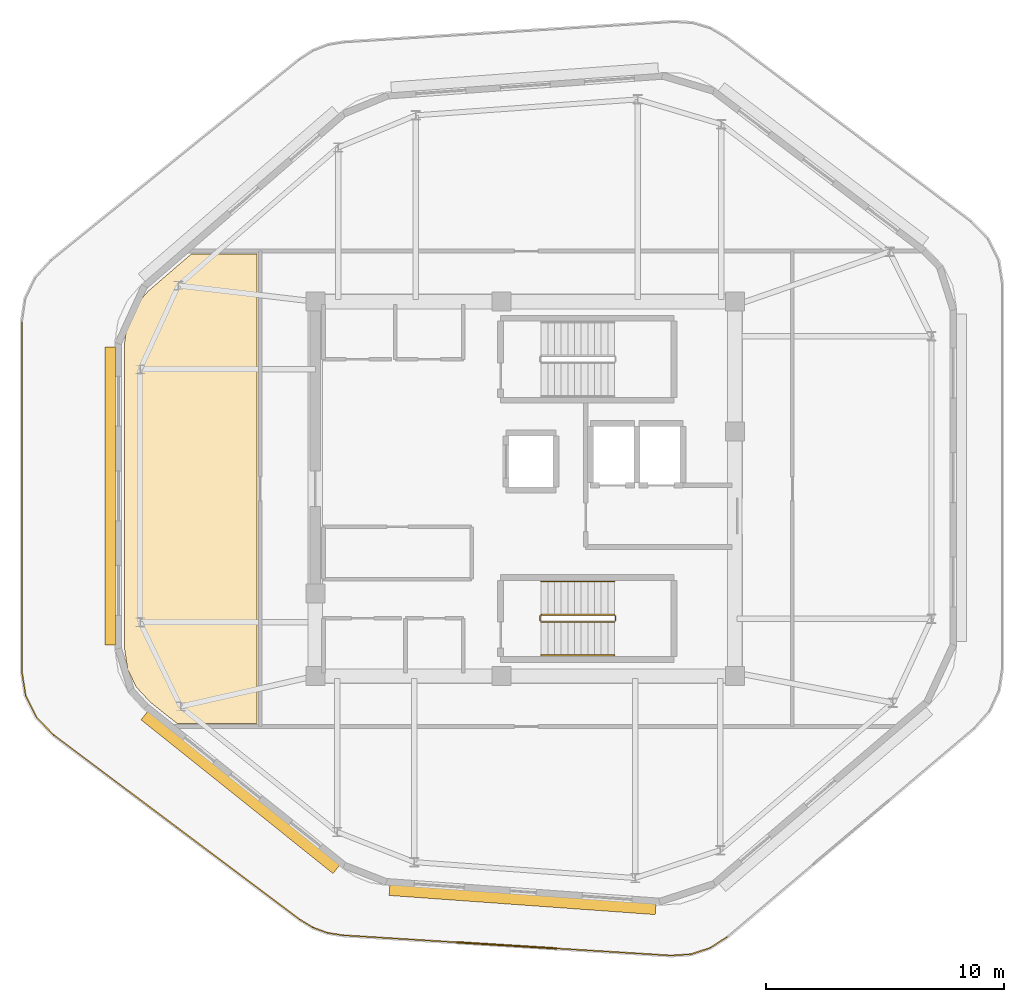
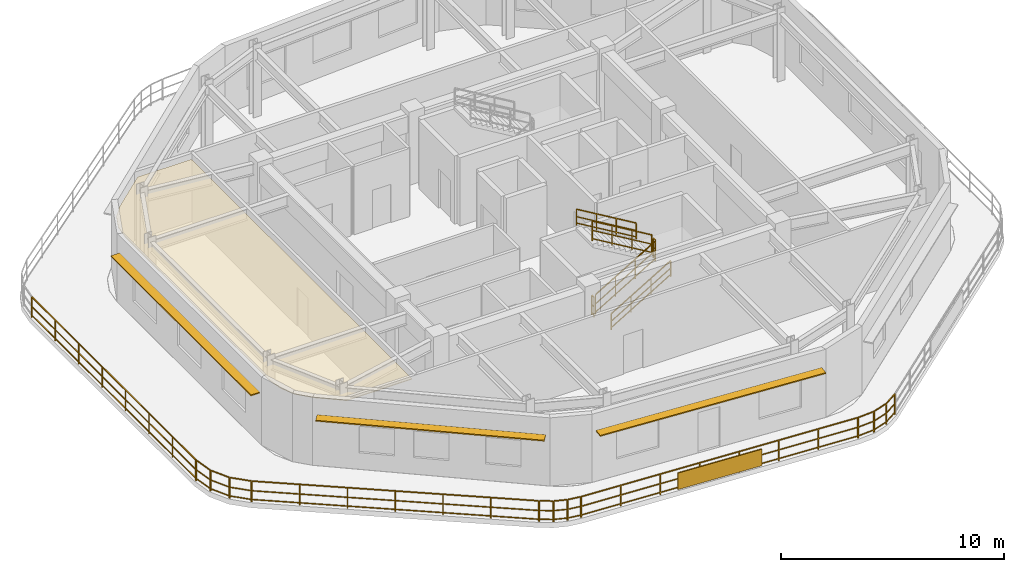
# One storey, part 5 of 7: 18 railings, 4 shading devices, 1 covering.
"""IFC4 building model written with IfcOpenShell, lengths in metres."""

from ifc_helpers import new_model, si_unit, direction, frame, origin, origin_2d, place, context, subcontext, project, spatial, polyline, rectangle, outline, extrude, material, layer, layer_set, type_object, element, save


model = new_model("IFC4")

# Units and contexts
model_context = context("Model", 3, precision=1e-05, world=origin(), true_north=direction((0.0, 1.0)))
body_context = subcontext(model_context, "Body", "Model", "MODEL_VIEW")
ifc_project = project(units=[si_unit("LENGTHUNIT", "METRE"), si_unit("AREAUNIT", "SQUARE_METRE"), si_unit("VOLUMEUNIT", "CUBIC_METRE"), si_unit("PLANEANGLEUNIT", "RADIAN"), si_unit("MASSUNIT", "GRAM", prefix="KILO")], contexts=[model_context])

# Site, building, storey
site_placement = place(None, origin())
site = spatial("IfcSite", under=ifc_project, at=site_placement, CompositionType="ELEMENT")
building_placement = place(site_placement, origin())
building = spatial("IfcBuilding", under=site, at=building_placement, Name="Zulverin Broadcast Headquarters", CompositionType="ELEMENT")
storey_placement = place(building_placement, frame((0.0, 0.0, 321.39990234375)))
storey = spatial("IfcBuildingStorey", under=building, at=storey_placement, Name="C3", CompositionType="ELEMENT", Elevation=321.39990234375)

# Covering
ifc_material_1 = material(Name="Perforated pale-metal acoustic baffle ceiling", Category="aluminium")
ifc_layer_1 = layer(ifc_material_1, 0.0400390625, Name="Perforated pale-metal acoustic baffle ceiling", Category="aluminium")
ifc_layer_set_1 = layer_set([ifc_layer_1], Name="Perforated pale-metal acoustic baffle ceiling")
covering_type = type_object("IfcCoveringType", Name="COV-CEIL-ACOU", PredefinedType="CEILING", material=ifc_layer_set_1)
covering_placement = place(storey_placement, frame((0.0, 0.0, 3.39013671875)))
element("IfcCovering", 1, at=covering_placement, inside=storey, type_object=covering_type, Name="C3 Acoustic Baffle Ceiling 01", PredefinedType="CEILING", context=body_context, shape_type="SweptSolid", body=[
    extrude(outline(polyline([(22.716064453125, 32.159912109375), (22.60009765625, 31.343994140625), (22.60009765625, 18.468017578125), (22.72802734375, 17.615966796875), (23.087890625, 16.864013671875), (23.672119140625, 16.23193359375), (24.81591796875, 15.320068359375), (28.179931640625, 15.320068359375), (28.179931640625, 35.080078125), (25.407958984375, 35.080078125), (23.587890625, 33.511962890625), (23.048095703125, 32.887939453125), (22.716064453125, 32.159912109375)])), origin(), (0.0, 0.0, 1.0), 0.0400390625),
])

# Railings
ifc_material_2 = material(Name="Brushed stainless steel & laminated glass balustrade", Category="steel")
railing_type_1 = type_object("IfcRailingType", Name="RL-GUARD-1150", PredefinedType="GUARDRAIL", material=ifc_material_2)
railing_1_placement = place(storey_placement, frame((29.962890625, 7.08544921875, 0.0)))
element("IfcRailing", 2, at=railing_1_placement, inside=storey, type_object=railing_type_1, Name="C3 Stepped Crown Terrace Perimeter Balustrade Segment 01", PredefinedType="GUARDRAIL", context=body_context, shape_type="SweptSolid", body=[
    extrude(rectangle(XDim=0.048095703125, YDim=0.048095703125, at=origin_2d()), frame((0.0, 0.0, 1.1259765625), z_axis=(-0.800253953175, 0.599661246395, 0.0), x_axis=(-0.599661246395, -0.800253953175, 0.0)), (0.0, 0.0, 1.0), 12.9169921875),
    extrude(rectangle(XDim=0.0419921875, YDim=0.0419921875, at=origin_2d()), frame((0.0, 0.0, 0.597900390625), z_axis=(-0.800253953175, 0.599661246395, 0.0), x_axis=(-0.599661246395, -0.800253953175, 0.0)), (0.0, 0.0, 1.0), 12.9169921875),
    extrude(rectangle(XDim=0.0419921875, YDim=0.0419921875, at=origin_2d()), frame((0.0, 0.0, 0.1201171875), z_axis=(-0.800253953175, 0.599661246395, 0.0), x_axis=(-0.599661246395, -0.800253953175, 0.0)), (0.0, 0.0, 1.0), 12.9169921875),
    extrude(rectangle(XDim=0.0419921875, YDim=0.0419921875, at=origin_2d()), origin(), (0.0, 0.0, 1.0), 1.101806640625),
    extrude(rectangle(XDim=0.0419921875, YDim=0.0419921875, at=origin_2d()), frame((-1.722900390625, 1.291015625, 0.0)), (0.0, 0.0, 1.0), 1.101806640625),
    extrude(rectangle(XDim=0.0419921875, YDim=0.0419921875, at=origin_2d()), frame((-3.445556640625, 2.58203125, 0.0)), (0.0, 0.0, 1.0), 1.101806640625),
    extrude(rectangle(XDim=0.0419921875, YDim=0.0419921875, at=origin_2d()), frame((-5.16845703125, 3.873046875, 0.0)), (0.0, 0.0, 1.0), 1.101806640625),
    extrude(rectangle(XDim=0.0419921875, YDim=0.0419921875, at=origin_2d()), frame((-6.891357421875, 5.163818359375, 0.0)), (0.0, 0.0, 1.0), 1.101806640625),
    extrude(rectangle(XDim=0.0419921875, YDim=0.0419921875, at=origin_2d()), frame((-8.614013671875, 6.454833984375, 0.0)), (0.0, 0.0, 1.0), 1.101806640625),
    extrude(rectangle(XDim=0.0419921875, YDim=0.0419921875, at=origin_2d()), frame((-10.3369140625, 7.745849609375, 0.0)), (0.0, 0.0, 1.0), 1.101806640625),
])
railing_2_placement = place(storey_placement, frame((19.603515625, 14.85107421875, 0.0)))
element("IfcRailing", 3, at=railing_2_placement, inside=storey, type_object=railing_type_1, Name="C3 Stepped Crown Terrace Perimeter Balustrade Segment 02", PredefinedType="GUARDRAIL", context=body_context, shape_type="SweptSolid", body=[
    extrude(rectangle(XDim=0.048095703125, YDim=0.048095703125, at=origin_2d()), frame((0.0, 0.0, 1.1259765625), z_axis=(-0.698250525123, 0.715853479538, 0.0), x_axis=(-0.715853479538, -0.698250525123, 0.0)), (0.0, 0.0, 1.0), 0.99853515625),
    extrude(rectangle(XDim=0.0419921875, YDim=0.0419921875, at=origin_2d()), frame((0.0, 0.0, 0.597900390625), z_axis=(-0.698250525123, 0.715853479538, 0.0), x_axis=(-0.715853479538, -0.698250525123, 0.0)), (0.0, 0.0, 1.0), 0.99853515625),
    extrude(rectangle(XDim=0.0419921875, YDim=0.0419921875, at=origin_2d()), frame((0.0, 0.0, 0.1201171875), z_axis=(-0.698250525123, 0.715853479538, 0.0), x_axis=(-0.715853479538, -0.698250525123, 0.0)), (0.0, 0.0, 1.0), 0.99853515625),
    extrude(rectangle(XDim=0.0419921875, YDim=0.0419921875, at=origin_2d()), origin(), (0.0, 0.0, 1.0), 1.101806640625),
    extrude(rectangle(XDim=0.0419921875, YDim=0.0419921875, at=origin_2d()), frame((-0.697265625, 0.71484375, 0.0)), (0.0, 0.0, 1.0), 1.101806640625),
])
railing_3_placement = place(storey_placement, frame((18.88916015625, 15.58984375, 0.0)))
element("IfcRailing", 4, at=railing_3_placement, inside=storey, type_object=railing_type_1, Name="C3 Stepped Crown Terrace Perimeter Balustrade Segment 03", PredefinedType="GUARDRAIL", context=body_context, shape_type="SweptSolid", body=[
    extrude(rectangle(XDim=0.048095703125, YDim=0.048095703125, at=origin_2d()), frame((0.0, 0.0, 1.1259765625), z_axis=(-0.447508794093, 0.894279530801, 0.0), x_axis=(-0.894279530801, -0.447508794093, 0.0)), (0.0, 0.0, 1.0), 0.992431640625),
    extrude(rectangle(XDim=0.0419921875, YDim=0.0419921875, at=origin_2d()), frame((0.0, 0.0, 0.597900390625), z_axis=(-0.447508794093, 0.894279530801, 0.0), x_axis=(-0.894279530801, -0.447508794093, 0.0)), (0.0, 0.0, 1.0), 0.992431640625),
    extrude(rectangle(XDim=0.0419921875, YDim=0.0419921875, at=origin_2d()), frame((0.0, 0.0, 0.1201171875), z_axis=(-0.447508794093, 0.894279530801, 0.0), x_axis=(-0.894279530801, -0.447508794093, 0.0)), (0.0, 0.0, 1.0), 0.992431640625),
    extrude(rectangle(XDim=0.0419921875, YDim=0.0419921875, at=origin_2d()), origin(), (0.0, 0.0, 1.0), 1.101806640625),
    extrude(rectangle(XDim=0.0419921875, YDim=0.0419921875, at=origin_2d()), frame((-0.444091796875, 0.887451171875, 0.0)), (0.0, 0.0, 1.0), 1.101806640625),
])
railing_4_placement = place(storey_placement, frame((18.43603515625, 16.505615234375, 0.0)))
element("IfcRailing", 5, at=railing_4_placement, inside=storey, type_object=railing_type_1, Name="C3 Stepped Crown Terrace Perimeter Balustrade Segment 04", PredefinedType="GUARDRAIL", context=body_context, shape_type="SweptSolid", body=[
    extrude(rectangle(XDim=0.048095703125, YDim=0.048095703125, at=origin_2d()), frame((0.0, 0.0, 1.1259765625), z_axis=(-0.154041223867, 0.98806442166, 0.0), x_axis=(-0.98806442166, -0.154041223867, 0.0)), (0.0, 0.0, 1.0), 0.99853515625),
    extrude(rectangle(XDim=0.0419921875, YDim=0.0419921875, at=origin_2d()), frame((0.0, 0.0, 0.597900390625), z_axis=(-0.154041223867, 0.98806442166, 0.0), x_axis=(-0.98806442166, -0.154041223867, 0.0)), (0.0, 0.0, 1.0), 0.99853515625),
    extrude(rectangle(XDim=0.0419921875, YDim=0.0419921875, at=origin_2d()), frame((0.0, 0.0, 0.1201171875), z_axis=(-0.154041223867, 0.98806442166, 0.0), x_axis=(-0.98806442166, -0.154041223867, 0.0)), (0.0, 0.0, 1.0), 0.99853515625),
    extrude(rectangle(XDim=0.0419921875, YDim=0.0419921875, at=origin_2d()), origin(), (0.0, 0.0, 1.0), 1.101806640625),
    extrude(rectangle(XDim=0.0419921875, YDim=0.0419921875, at=origin_2d()), frame((-0.15380859375, 0.986572265625, 0.0)), (0.0, 0.0, 1.0), 1.101806640625),
])
railing_5_placement = place(storey_placement, frame((18.280029296875, 17.522216796875, 0.0)))
element("IfcRailing", 6, at=railing_5_placement, inside=storey, type_object=railing_type_1, Name="C3 Stepped Crown Terrace Perimeter Balustrade Segment 05", PredefinedType="GUARDRAIL", context=body_context, shape_type="SweptSolid", body=[
    extrude(rectangle(XDim=0.048095703125, YDim=0.048095703125, at=origin_2d()), frame((0.0, 0.0, 1.1259765625), z_axis=(0.0, 1.0, 0.0), x_axis=(-1.0, 0.0, 0.0)), (0.0, 0.0, 1.0), 14.6826171875),
    extrude(rectangle(XDim=0.0419921875, YDim=0.0419921875, at=origin_2d()), frame((0.0, 0.0, 0.597900390625), z_axis=(0.0, 1.0, 0.0), x_axis=(-1.0, 0.0, 0.0)), (0.0, 0.0, 1.0), 14.6826171875),
    extrude(rectangle(XDim=0.0419921875, YDim=0.0419921875, at=origin_2d()), frame((0.0, 0.0, 0.1201171875), z_axis=(0.0, 1.0, 0.0), x_axis=(-1.0, 0.0, 0.0)), (0.0, 0.0, 1.0), 14.6826171875),
    extrude(rectangle(XDim=0.0419921875, YDim=0.0419921875, at=origin_2d()), origin(), (0.0, 0.0, 1.0), 1.101806640625),
    extrude(rectangle(XDim=0.0419921875, YDim=0.0419921875, at=origin_2d()), frame((0.0, 2.097412109375, 0.0)), (0.0, 0.0, 1.0), 1.101806640625),
    extrude(rectangle(XDim=0.0419921875, YDim=0.0419921875, at=origin_2d()), frame((0.0, 4.195068359375, 0.0)), (0.0, 0.0, 1.0), 1.101806640625),
    extrude(rectangle(XDim=0.0419921875, YDim=0.0419921875, at=origin_2d()), frame((0.0, 6.29248046875, 0.0)), (0.0, 0.0, 1.0), 1.101806640625),
    extrude(rectangle(XDim=0.0419921875, YDim=0.0419921875, at=origin_2d()), frame((0.0, 8.39013671875, 0.0)), (0.0, 0.0, 1.0), 1.101806640625),
    extrude(rectangle(XDim=0.0419921875, YDim=0.0419921875, at=origin_2d()), frame((0.0, 10.487548828125, 0.0)), (0.0, 0.0, 1.0), 1.101806640625),
    extrude(rectangle(XDim=0.0419921875, YDim=0.0419921875, at=origin_2d()), frame((0.0, 12.585205078125, 0.0)), (0.0, 0.0, 1.0), 1.101806640625),
    extrude(rectangle(XDim=0.0419921875, YDim=0.0419921875, at=origin_2d()), frame((0.0, 14.6826171875, 0.0)), (0.0, 0.0, 1.0), 1.101806640625),
])
railing_6_placement = place(storey_placement, frame((47.93798828125, 6.337646484375, 0.0)))
element("IfcRailing", 7, at=railing_6_placement, inside=storey, type_object=railing_type_1, Name="C3 Stepped Crown Terrace Perimeter Balustrade Segment 26", PredefinedType="GUARDRAIL", context=body_context, shape_type="SweptSolid", body=[
    extrude(rectangle(XDim=0.048095703125, YDim=0.048095703125, at=origin_2d()), frame((0.0, 0.0, 1.1259765625), z_axis=(-0.839417901356, -0.543486510305, 0.0), x_axis=(0.543486510305, -0.839417901356, 0.0)), (0.0, 0.0, 1.0), 0.817626953125),
    extrude(rectangle(XDim=0.0419921875, YDim=0.0419921875, at=origin_2d()), frame((0.0, 0.0, 0.597900390625), z_axis=(-0.839417901356, -0.543486510305, 0.0), x_axis=(0.543486510305, -0.839417901356, 0.0)), (0.0, 0.0, 1.0), 0.817626953125),
    extrude(rectangle(XDim=0.0419921875, YDim=0.0419921875, at=origin_2d()), frame((0.0, 0.0, 0.1201171875), z_axis=(-0.839417901356, -0.543486510305, 0.0), x_axis=(0.543486510305, -0.839417901356, 0.0)), (0.0, 0.0, 1.0), 0.817626953125),
    extrude(rectangle(XDim=0.0419921875, YDim=0.0419921875, at=origin_2d()), origin(), (0.0, 0.0, 1.0), 1.101806640625),
    extrude(rectangle(XDim=0.0419921875, YDim=0.0419921875, at=origin_2d()), frame((-0.686279296875, -0.4443359375, 0.0)), (0.0, 0.0, 1.0), 1.101806640625),
])
railing_7_placement = place(storey_placement, frame((47.224853515625, 5.88037109375, 0.0)))
element("IfcRailing", 8, at=railing_7_placement, inside=storey, type_object=railing_type_1, Name="C3 Stepped Crown Terrace Perimeter Balustrade Segment 27", PredefinedType="GUARDRAIL", context=body_context, shape_type="SweptSolid", body=[
    extrude(rectangle(XDim=0.048095703125, YDim=0.048095703125, at=origin_2d()), frame((0.0, 0.0, 1.1259765625), z_axis=(-0.949162791239, -0.314785634563, 0.0), x_axis=(0.314785634563, -0.949162791239, 0.0)), (0.0, 0.0, 1.0), 0.812744140625),
    extrude(rectangle(XDim=0.0419921875, YDim=0.0419921875, at=origin_2d()), frame((0.0, 0.0, 0.597900390625), z_axis=(-0.949162791239, -0.314785634563, 0.0), x_axis=(0.314785634563, -0.949162791239, 0.0)), (0.0, 0.0, 1.0), 0.812744140625),
    extrude(rectangle(XDim=0.0419921875, YDim=0.0419921875, at=origin_2d()), frame((0.0, 0.0, 0.1201171875), z_axis=(-0.949162791239, -0.314785634563, 0.0), x_axis=(0.314785634563, -0.949162791239, 0.0)), (0.0, 0.0, 1.0), 0.812744140625),
    extrude(rectangle(XDim=0.0419921875, YDim=0.0419921875, at=origin_2d()), origin(), (0.0, 0.0, 1.0), 1.101806640625),
    extrude(rectangle(XDim=0.0419921875, YDim=0.0419921875, at=origin_2d()), frame((-0.771484375, -0.255859375, 0.0)), (0.0, 0.0, 1.0), 1.101806640625),
])
railing_8_placement = place(storey_placement, frame((46.42431640625, 5.618896484375, 0.0)))
element("IfcRailing", 9, at=railing_8_placement, inside=storey, type_object=railing_type_1, Name="C3 Stepped Crown Terrace Perimeter Balustrade Segment 28", PredefinedType="GUARDRAIL", context=body_context, shape_type="SweptSolid", body=[
    extrude(rectangle(XDim=0.048095703125, YDim=0.048095703125, at=origin_2d()), frame((0.0, 0.0, 1.1259765625), z_axis=(-0.997840298252, -0.065686674331, 0.0), x_axis=(0.065686674331, -0.997840298252, 0.0)), (0.0, 0.0, 1.0), 0.817626953125),
    extrude(rectangle(XDim=0.0419921875, YDim=0.0419921875, at=origin_2d()), frame((0.0, 0.0, 0.597900390625), z_axis=(-0.997840298252, -0.065686674331, 0.0), x_axis=(0.065686674331, -0.997840298252, 0.0)), (0.0, 0.0, 1.0), 0.817626953125),
    extrude(rectangle(XDim=0.0419921875, YDim=0.0419921875, at=origin_2d()), frame((0.0, 0.0, 0.1201171875), z_axis=(-0.997840298252, -0.065686674331, 0.0), x_axis=(0.065686674331, -0.997840298252, 0.0)), (0.0, 0.0, 1.0), 0.817626953125),
    extrude(rectangle(XDim=0.0419921875, YDim=0.0419921875, at=origin_2d()), origin(), (0.0, 0.0, 1.0), 1.101806640625),
    extrude(rectangle(XDim=0.0419921875, YDim=0.0419921875, at=origin_2d()), frame((-0.81591796875, -0.0537109375, 0.0)), (0.0, 0.0, 1.0), 1.101806640625),
])
railing_9_placement = place(storey_placement, frame((45.578369140625, 5.565185546875, 0.0)))
element("IfcRailing", 10, at=railing_9_placement, inside=storey, type_object=railing_type_1, Name="C3 Stepped Crown Terrace Perimeter Balustrade Segment 29", PredefinedType="GUARDRAIL", context=body_context, shape_type="SweptSolid", body=[
    extrude(rectangle(XDim=0.048095703125, YDim=0.048095703125, at=origin_2d()), frame((0.0, 0.0, 1.1259765625), z_axis=(-0.998103447155, 0.061558986166, 0.0), x_axis=(-0.061558986166, -0.998103447155, 0.0)), (0.0, 0.0, 1.0), 13.8212890625),
    extrude(rectangle(XDim=0.0419921875, YDim=0.0419921875, at=origin_2d()), frame((0.0, 0.0, 0.597900390625), z_axis=(-0.998103447155, 0.061558986166, 0.0), x_axis=(-0.061558986166, -0.998103447155, 0.0)), (0.0, 0.0, 1.0), 13.8212890625),
    extrude(rectangle(XDim=0.0419921875, YDim=0.0419921875, at=origin_2d()), frame((0.0, 0.0, 0.1201171875), z_axis=(-0.998103447155, 0.061558986166, 0.0), x_axis=(-0.061558986166, -0.998103447155, 0.0)), (0.0, 0.0, 1.0), 13.8212890625),
    extrude(rectangle(XDim=0.0419921875, YDim=0.0419921875, at=origin_2d()), origin(), (0.0, 0.0, 1.0), 1.101806640625),
    extrude(rectangle(XDim=0.0419921875, YDim=0.0419921875, at=origin_2d()), frame((-1.970703125, 0.12158203125, 0.0)), (0.0, 0.0, 1.0), 1.101806640625),
    extrude(rectangle(XDim=0.0419921875, YDim=0.0419921875, at=origin_2d()), frame((-3.94140625, 0.2431640625, 0.0)), (0.0, 0.0, 1.0), 1.101806640625),
    extrude(rectangle(XDim=0.0419921875, YDim=0.0419921875, at=origin_2d()), frame((-5.912109375, 0.36474609375, 0.0)), (0.0, 0.0, 1.0), 1.101806640625),
    extrude(rectangle(XDim=0.0419921875, YDim=0.0419921875, at=origin_2d()), frame((-7.883056640625, 0.486083984375, 0.0)), (0.0, 0.0, 1.0), 1.101806640625),
    extrude(rectangle(XDim=0.0419921875, YDim=0.0419921875, at=origin_2d()), frame((-9.853759765625, 0.607666015625, 0.0)), (0.0, 0.0, 1.0), 1.101806640625),
    extrude(rectangle(XDim=0.0419921875, YDim=0.0419921875, at=origin_2d()), frame((-11.824462890625, 0.729248046875, 0.0)), (0.0, 0.0, 1.0), 1.101806640625),
    extrude(rectangle(XDim=0.0419921875, YDim=0.0419921875, at=origin_2d()), frame((-13.795166015625, 0.850830078125, 0.0)), (0.0, 0.0, 1.0), 1.101806640625),
])
railing_10_placement = place(storey_placement, frame((31.75341796875, 6.41943359375, 0.0)))
element("IfcRailing", 11, at=railing_10_placement, inside=storey, type_object=railing_type_1, Name="C3 Stepped Crown Terrace Perimeter Balustrade Segment 30", PredefinedType="GUARDRAIL", context=body_context, shape_type="SweptSolid", body=[
    extrude(rectangle(XDim=0.048095703125, YDim=0.048095703125, at=origin_2d()), frame((0.0, 0.0, 1.1259765625), z_axis=(-0.98749495318, 0.157650618277, 0.0), x_axis=(-0.157650618277, -0.98749495318, 0.0)), (0.0, 0.0, 1.0), 0.616455078125),
    extrude(rectangle(XDim=0.0419921875, YDim=0.0419921875, at=origin_2d()), frame((0.0, 0.0, 0.597900390625), z_axis=(-0.98749495318, 0.157650618277, 0.0), x_axis=(-0.157650618277, -0.98749495318, 0.0)), (0.0, 0.0, 1.0), 0.616455078125),
    extrude(rectangle(XDim=0.0419921875, YDim=0.0419921875, at=origin_2d()), frame((0.0, 0.0, 0.1201171875), z_axis=(-0.98749495318, 0.157650618277, 0.0), x_axis=(-0.157650618277, -0.98749495318, 0.0)), (0.0, 0.0, 1.0), 0.616455078125),
    extrude(rectangle(XDim=0.0419921875, YDim=0.0419921875, at=origin_2d()), origin(), (0.0, 0.0, 1.0), 1.101806640625),
    extrude(rectangle(XDim=0.0419921875, YDim=0.0419921875, at=origin_2d()), frame((-0.608642578125, 0.09716796875, 0.0)), (0.0, 0.0, 1.0), 1.101806640625),
])
railing_11_placement = place(storey_placement, frame((31.115966796875, 6.524169921875, 0.0)))
element("IfcRailing", 12, at=railing_11_placement, inside=storey, type_object=railing_type_1, Name="C3 Stepped Crown Terrace Perimeter Balustrade Segment 31", PredefinedType="GUARDRAIL", context=body_context, shape_type="SweptSolid", body=[
    extrude(rectangle(XDim=0.048095703125, YDim=0.048095703125, at=origin_2d()), frame((0.0, 0.0, 1.1259765625), z_axis=(-0.938553874978, 0.345132762518, 0.0), x_axis=(-0.345132762518, -0.938553874978, 0.0)), (0.0, 0.0, 1.0), 0.612548828125),
    extrude(rectangle(XDim=0.0419921875, YDim=0.0419921875, at=origin_2d()), frame((0.0, 0.0, 0.597900390625), z_axis=(-0.938553874978, 0.345132762518, 0.0), x_axis=(-0.345132762518, -0.938553874978, 0.0)), (0.0, 0.0, 1.0), 0.612548828125),
    extrude(rectangle(XDim=0.0419921875, YDim=0.0419921875, at=origin_2d()), frame((0.0, 0.0, 0.1201171875), z_axis=(-0.938553874978, 0.345132762518, 0.0), x_axis=(-0.345132762518, -0.938553874978, 0.0)), (0.0, 0.0, 1.0), 0.612548828125),
    extrude(rectangle(XDim=0.0419921875, YDim=0.0419921875, at=origin_2d()), origin(), (0.0, 0.0, 1.0), 1.101806640625),
    extrude(rectangle(XDim=0.0419921875, YDim=0.0419921875, at=origin_2d()), frame((-0.574951171875, 0.21142578125, 0.0)), (0.0, 0.0, 1.0), 1.101806640625),
])
railing_12_placement = place(storey_placement, frame((30.51416015625, 6.74853515625, 0.0)))
element("IfcRailing", 13, at=railing_12_placement, inside=storey, type_object=railing_type_1, Name="C3 Stepped Crown Terrace Perimeter Balustrade Segment 32", PredefinedType="GUARDRAIL", context=body_context, shape_type="SweptSolid", body=[
    extrude(rectangle(XDim=0.048095703125, YDim=0.048095703125, at=origin_2d()), frame((0.0, 0.0, 1.1259765625), z_axis=(-0.854542628037, 0.519381263494, 0.0), x_axis=(-0.519381263494, -0.854542628037, 0.0)), (0.0, 0.0, 1.0), 0.6162109375),
    extrude(rectangle(XDim=0.0419921875, YDim=0.0419921875, at=origin_2d()), frame((0.0, 0.0, 0.597900390625), z_axis=(-0.854542628037, 0.519381263494, 0.0), x_axis=(-0.519381263494, -0.854542628037, 0.0)), (0.0, 0.0, 1.0), 0.6162109375),
    extrude(rectangle(XDim=0.0419921875, YDim=0.0419921875, at=origin_2d()), frame((0.0, 0.0, 0.1201171875), z_axis=(-0.854542628037, 0.519381263494, 0.0), x_axis=(-0.519381263494, -0.854542628037, 0.0)), (0.0, 0.0, 1.0), 0.6162109375),
    extrude(rectangle(XDim=0.0419921875, YDim=0.0419921875, at=origin_2d()), origin(), (0.0, 0.0, 1.0), 1.101806640625),
    extrude(rectangle(XDim=0.0419921875, YDim=0.0419921875, at=origin_2d()), frame((-0.526611328125, 0.320068359375, 0.0)), (0.0, 0.0, 1.0), 1.101806640625),
])
ifc_material_3 = material(Name="Painted galvanized steel tubular guardrail S355JR", Category="steel")
railing_type_2 = type_object("IfcRailingType", Name="RL-ST-GUARD", PredefinedType="GUARDRAIL", material=ifc_material_3)
railing_13_placement = place(storey_placement, frame((40.1298828125, 19.60009765625, 0.166748046875)))
element("IfcRailing", 14, at=railing_13_placement, inside=storey, type_object=railing_type_2, Name="C3 ST-2 stair guard 1", PredefinedType="GUARDRAIL", context=body_context, shape_type="SweptSolid", body=[
    extrude(rectangle(XDim=0.048095703125, YDim=0.048095703125, at=origin_2d()), frame((0.0, 0.0, 1.076171875), z_axis=(0.859308565015, 0.0, 0.511457515432), x_axis=(0.0, 1.0, 0.0)), (0.0, 0.0, 1.0), 3.58447265625),
    extrude(rectangle(XDim=0.0419921875, YDim=0.0419921875, at=origin_2d()), frame((0.0, 0.0, 0.572021484375), z_axis=(0.859308565015, 0.0, 0.511457515432), x_axis=(0.0, 1.0, 0.0)), (0.0, 0.0, 1.0), 3.58447265625),
    extrude(rectangle(XDim=0.0419921875, YDim=0.0419921875, at=origin_2d()), frame((0.0, 0.0, 0.1201171875), z_axis=(0.859308565015, 0.0, 0.511457515432), x_axis=(0.0, 1.0, 0.0)), (0.0, 0.0, 1.0), 3.58447265625),
    extrude(rectangle(XDim=0.0419921875, YDim=0.0419921875, at=origin_2d()), origin(), (0.0, 0.0, 1.0), 1.052001953125),
    extrude(rectangle(XDim=0.0419921875, YDim=0.0419921875, at=origin_2d()), frame((1.026611328125, 0.0, 0.611083984375)), (0.0, 0.0, 1.0), 1.052001953125),
    extrude(rectangle(XDim=0.0419921875, YDim=0.0419921875, at=origin_2d()), frame((2.053466796875, 0.0, 1.22216796875)), (0.0, 0.0, 1.0), 1.052001953125),
    extrude(rectangle(XDim=0.0419921875, YDim=0.0419921875, at=origin_2d()), frame((3.080078125, 0.0, 1.833251953125)), (0.0, 0.0, 1.0), 1.052001953125),
])
railing_14_placement = place(storey_placement, frame((43.260009765625, 19.64990234375, 2.0)))
element("IfcRailing", 15, at=railing_14_placement, inside=storey, type_object=railing_type_2, Name="C3 ST-2 stair guard 2", PredefinedType="GUARDRAIL", context=body_context, shape_type="SweptSolid", body=[
    extrude(rectangle(XDim=0.048095703125, YDim=0.048095703125, at=origin_2d()), frame((0.0, 0.0, 1.076171875), z_axis=(0.0, 1.0, 0.0), x_axis=(-1.0, 0.0, 0.0)), (0.0, 0.0, 1.0), 0.2001953125),
    extrude(rectangle(XDim=0.0419921875, YDim=0.0419921875, at=origin_2d()), frame((0.0, 0.0, 0.572021484375), z_axis=(0.0, 1.0, 0.0), x_axis=(-1.0, 0.0, 0.0)), (0.0, 0.0, 1.0), 0.2001953125),
    extrude(rectangle(XDim=0.0419921875, YDim=0.0419921875, at=origin_2d()), frame((0.0, 0.0, 0.1201171875), z_axis=(0.0, 1.0, 0.0), x_axis=(-1.0, 0.0, 0.0)), (0.0, 0.0, 1.0), 0.2001953125),
    extrude(rectangle(XDim=0.0419921875, YDim=0.0419921875, at=origin_2d()), origin(), (0.0, 0.0, 1.0), 1.052001953125),
    extrude(rectangle(XDim=0.0419921875, YDim=0.0419921875, at=origin_2d()), frame((0.0, 0.2001953125, 0.0)), (0.0, 0.0, 1.0), 1.052001953125),
])
railing_15_placement = place(storey_placement, frame((43.2099609375, 19.89990234375, 2.166748046875)))
element("IfcRailing", 16, at=railing_15_placement, inside=storey, type_object=railing_type_2, Name="C3 ST-2 stair guard 3", PredefinedType="GUARDRAIL", context=body_context, shape_type="SweptSolid", body=[
    extrude(rectangle(XDim=0.048095703125, YDim=0.048095703125, at=origin_2d()), frame((0.0, 0.0, 1.076171875), z_axis=(-0.859308565015, 0.0, 0.511457515432), x_axis=(0.0, -1.0, 0.0)), (0.0, 0.0, 1.0), 3.58447265625),
    extrude(rectangle(XDim=0.0419921875, YDim=0.0419921875, at=origin_2d()), frame((0.0, 0.0, 0.572021484375), z_axis=(-0.859308565015, 0.0, 0.511457515432), x_axis=(0.0, -1.0, 0.0)), (0.0, 0.0, 1.0), 3.58447265625),
    extrude(rectangle(XDim=0.0419921875, YDim=0.0419921875, at=origin_2d()), frame((0.0, 0.0, 0.1201171875), z_axis=(-0.859308565015, 0.0, 0.511457515432), x_axis=(0.0, -1.0, 0.0)), (0.0, 0.0, 1.0), 3.58447265625),
    extrude(rectangle(XDim=0.0419921875, YDim=0.0419921875, at=origin_2d()), origin(), (0.0, 0.0, 1.0), 1.052001953125),
    extrude(rectangle(XDim=0.0419921875, YDim=0.0419921875, at=origin_2d()), frame((-1.026611328125, 0.0, 0.611083984375)), (0.0, 0.0, 1.0), 1.052001953125),
    extrude(rectangle(XDim=0.0419921875, YDim=0.0419921875, at=origin_2d()), frame((-2.053466796875, 0.0, 1.22216796875)), (0.0, 0.0, 1.0), 1.052001953125),
    extrude(rectangle(XDim=0.0419921875, YDim=0.0419921875, at=origin_2d()), frame((-3.080078125, 0.0, 1.833251953125)), (0.0, 0.0, 1.0), 1.052001953125),
])
railing_16_placement = place(storey_placement, frame((40.080078125, 19.64990234375, 0.0)))
element("IfcRailing", 17, at=railing_16_placement, inside=storey, type_object=railing_type_2, Name="C3 ST-2 stair guard 4", PredefinedType="GUARDRAIL", context=body_context, shape_type="SweptSolid", body=[
    extrude(rectangle(XDim=0.048095703125, YDim=0.048095703125, at=origin_2d()), frame((0.0, 0.0, 1.076171875), z_axis=(0.0, 1.0, 0.0), x_axis=(-1.0, 0.0, 0.0)), (0.0, 0.0, 1.0), 0.2001953125),
    extrude(rectangle(XDim=0.0419921875, YDim=0.0419921875, at=origin_2d()), frame((0.0, 0.0, 0.572021484375), z_axis=(0.0, 1.0, 0.0), x_axis=(-1.0, 0.0, 0.0)), (0.0, 0.0, 1.0), 0.2001953125),
    extrude(rectangle(XDim=0.0419921875, YDim=0.0419921875, at=origin_2d()), frame((0.0, 0.0, 0.1201171875), z_axis=(0.0, 1.0, 0.0), x_axis=(-1.0, 0.0, 0.0)), (0.0, 0.0, 1.0), 0.2001953125),
    extrude(rectangle(XDim=0.0419921875, YDim=0.0419921875, at=origin_2d()), origin(), (0.0, 0.0, 1.0), 1.052001953125),
    extrude(rectangle(XDim=0.0419921875, YDim=0.0419921875, at=origin_2d()), frame((0.0, 0.2001953125, 0.0)), (0.0, 0.0, 1.0), 1.052001953125),
])
ifc_material_4 = material(Name="Brushed stainless steel 48 mm handrail", Category="steel")
railing_type_3 = type_object("IfcRailingType", Name="RL-ST-HAND", PredefinedType="HANDRAIL", material=ifc_material_4)
railing_17_placement = place(storey_placement, frame((40.1298828125, 18.199951171875, 0.166748046875)))
element("IfcRailing", 18, at=railing_17_placement, inside=storey, type_object=railing_type_3, Name="C3 ST-2 stair handrail 1", PredefinedType="HANDRAIL", context=body_context, shape_type="SweptSolid", body=[
    extrude(rectangle(XDim=0.048095703125, YDim=0.048095703125, at=origin_2d()), frame((0.0, 0.0, 0.8759765625), z_axis=(0.859308565015, 0.0, 0.511457515432), x_axis=(0.0, 1.0, 0.0)), (0.0, 0.0, 1.0), 3.58447265625),
    extrude(rectangle(XDim=0.0419921875, YDim=0.0419921875, at=origin_2d()), frame((0.0, 0.0, 0.468017578125), z_axis=(0.859308565015, 0.0, 0.511457515432), x_axis=(0.0, 1.0, 0.0)), (0.0, 0.0, 1.0), 3.58447265625),
    extrude(rectangle(XDim=0.0419921875, YDim=0.0419921875, at=origin_2d()), frame((0.0, 0.0, 0.1201171875), z_axis=(0.859308565015, 0.0, 0.511457515432), x_axis=(0.0, 1.0, 0.0)), (0.0, 0.0, 1.0), 3.58447265625),
    extrude(rectangle(XDim=0.0419921875, YDim=0.0419921875, at=origin_2d()), origin(), (0.0, 0.0, 1.0), 0.851806640625),
    extrude(rectangle(XDim=0.0419921875, YDim=0.0419921875, at=origin_2d()), frame((1.026611328125, 0.0, 0.611083984375)), (0.0, 0.0, 1.0), 0.851806640625),
    extrude(rectangle(XDim=0.0419921875, YDim=0.0419921875, at=origin_2d()), frame((2.053466796875, 0.0, 1.22216796875)), (0.0, 0.0, 1.0), 0.851806640625),
    extrude(rectangle(XDim=0.0419921875, YDim=0.0419921875, at=origin_2d()), frame((3.080078125, 0.0, 1.833251953125)), (0.0, 0.0, 1.0), 0.851806640625),
])
railing_18_placement = place(storey_placement, frame((43.2099609375, 21.300048828125, 2.166748046875)))
element("IfcRailing", 19, at=railing_18_placement, inside=storey, type_object=railing_type_3, Name="C3 ST-2 stair handrail 2", PredefinedType="HANDRAIL", context=body_context, shape_type="SweptSolid", body=[
    extrude(rectangle(XDim=0.048095703125, YDim=0.048095703125, at=origin_2d()), frame((0.0, 0.0, 0.8759765625), z_axis=(-0.859308565015, 0.0, 0.511457515432), x_axis=(0.0, -1.0, 0.0)), (0.0, 0.0, 1.0), 3.58447265625),
    extrude(rectangle(XDim=0.0419921875, YDim=0.0419921875, at=origin_2d()), frame((0.0, 0.0, 0.468017578125), z_axis=(-0.859308565015, 0.0, 0.511457515432), x_axis=(0.0, -1.0, 0.0)), (0.0, 0.0, 1.0), 3.58447265625),
    extrude(rectangle(XDim=0.0419921875, YDim=0.0419921875, at=origin_2d()), frame((0.0, 0.0, 0.1201171875), z_axis=(-0.859308565015, 0.0, 0.511457515432), x_axis=(0.0, -1.0, 0.0)), (0.0, 0.0, 1.0), 3.58447265625),
    extrude(rectangle(XDim=0.0419921875, YDim=0.0419921875, at=origin_2d()), origin(), (0.0, 0.0, 1.0), 0.851806640625),
    extrude(rectangle(XDim=0.0419921875, YDim=0.0419921875, at=origin_2d()), frame((-1.026611328125, 0.0, 0.611083984375)), (0.0, 0.0, 1.0), 0.851806640625),
    extrude(rectangle(XDim=0.0419921875, YDim=0.0419921875, at=origin_2d()), frame((-2.053466796875, 0.0, 1.22216796875)), (0.0, 0.0, 1.0), 0.851806640625),
    extrude(rectangle(XDim=0.0419921875, YDim=0.0419921875, at=origin_2d()), frame((-3.080078125, 0.0, 1.833251953125)), (0.0, 0.0, 1.0), 0.851806640625),
])

# Shading devices
ifc_material_5 = material(Name="Perforated pale-metal aluminium crown screen", Category="aluminium")
ifc_layer_2 = layer(ifc_material_5, 0.06005859375, Name="Perforated pale-metal aluminium crown screen", Category="aluminium")
ifc_layer_set_2 = layer_set([ifc_layer_2], Name="Perforated pale-metal aluminium crown screen")
shading_device_type_1 = type_object("IfcShadingDeviceType", Name="SHD-CRN-SCREEN", PredefinedType="USERDEFINED", material=ifc_layer_set_2)
shading_device_1_placement = place(storey_placement, frame((38.681396484375, 5.990478515625, 0.020263671875), z_axis=(0.0, 0.0, 1.0), x_axis=(0.998102696661, -0.061571153301, 0.0)))
element("IfcShadingDevice", 20, at=shading_device_1_placement, inside=storey, type_object=shading_device_type_1, Name="C3 Stepped Crown Perforated Pale-Metal Screen 1", ObjectType="SCREEN", PredefinedType="USERDEFINED", context=body_context, shape_type="SweptSolid", body=[
    extrude(rectangle(XDim=4.199951171875, YDim=0.06005859375, at=origin_2d()), origin(), (0.0, 0.0, 1.0), 0.89990234375),
])
ifc_material_6 = material(Name="Anodized pale-metal aluminium sunshade", Category="aluminium")
ifc_layer_3 = layer(ifc_material_6, 0.06005859375, Name="Anodized pale-metal aluminium sunshade", Category="aluminium")
ifc_layer_set_3 = layer_set([ifc_layer_3], Name="Anodized pale-metal aluminium sunshade")
shading_device_type_2 = type_object("IfcShadingDeviceType", Name="SS-01_PALE_METAL_ALUMINIUM_SUNSHADE", PredefinedType="USERDEFINED", material=ifc_layer_set_3)
shading_device_2_placement = place(storey_placement, frame((39.34375, 7.911865234375, 2.7099609375), z_axis=(0.0, 0.0, 1.0), x_axis=(0.997420903458, -0.071774238726, 0.0)))
element("IfcShadingDevice", 21, at=shading_device_2_placement, inside=storey, type_object=shading_device_type_2, Name="C3 Horizontal Pale-Metal Sunshade Band 1", ObjectType="SUNSHADE", PredefinedType="USERDEFINED", context=body_context, shape_type="SweptSolid", body=[
    extrude(rectangle(XDim=11.22412109375, YDim=0.449951171875, at=origin_2d()), origin(), (0.0, 0.0, 1.0), 0.06005859375),
])
shading_device_3_placement = place(storey_placement, frame((22.0, 24.90478515625, 2.7099609375), z_axis=(0.0, 0.0, 1.0), x_axis=(0.0, -1.0, 0.0)))
element("IfcShadingDevice", 22, at=shading_device_3_placement, inside=storey, type_object=shading_device_type_2, Name="C3 Horizontal Pale-Metal Sunshade Band 7", ObjectType="SUNSHADE", PredefinedType="USERDEFINED", context=body_context, shape_type="SweptSolid", body=[
    extrude(rectangle(XDim=12.53515625, YDim=0.449951171875, at=origin_2d()), origin(), (0.0, 0.0, 1.0), 0.06005859375),
])
shading_device_4_placement = place(storey_placement, frame((27.470458984375, 12.424560546875, 2.7099609375), z_axis=(0.0, 0.0, 1.0), x_axis=(0.780663881317, -0.624951121615, 0.0)))
element("IfcShadingDevice", 23, at=shading_device_4_placement, inside=storey, type_object=shading_device_type_2, Name="C3 Horizontal Pale-Metal Sunshade Band 8", ObjectType="SUNSHADE", PredefinedType="USERDEFINED", context=body_context, shape_type="SweptSolid", body=[
    extrude(rectangle(XDim=10.347900390625, YDim=0.449951171875, at=origin_2d()), origin(), (0.0, 0.0, 1.0), 0.06005859375),
])

save(model, "model.ifc")
